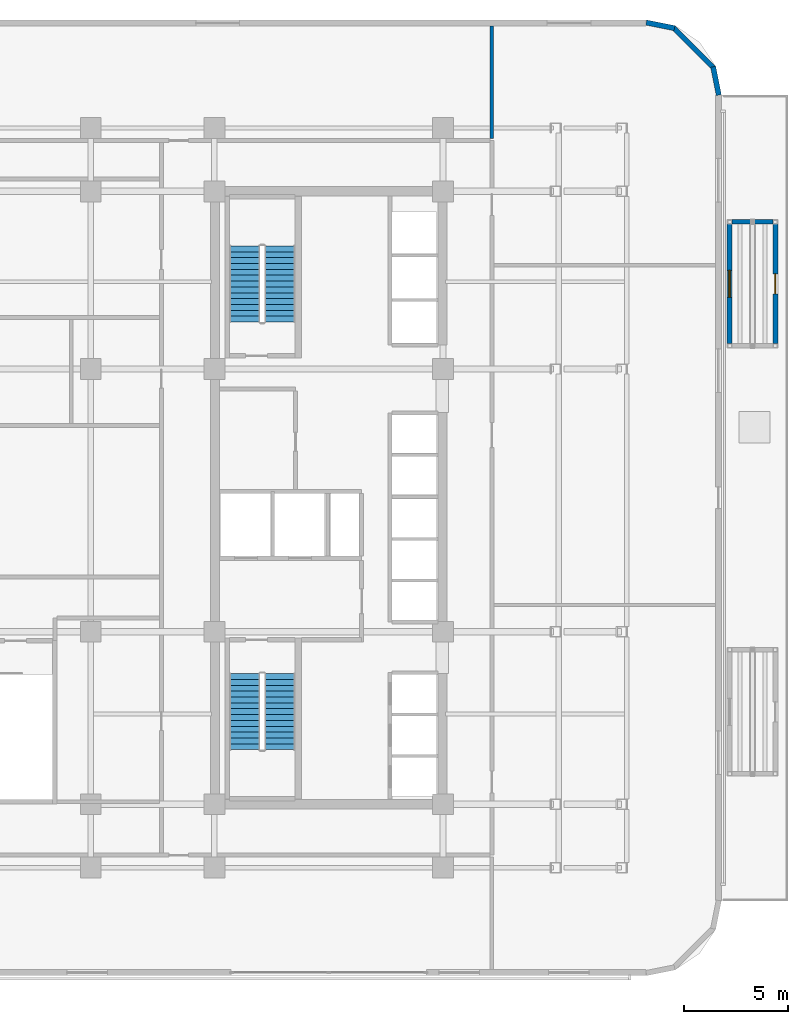
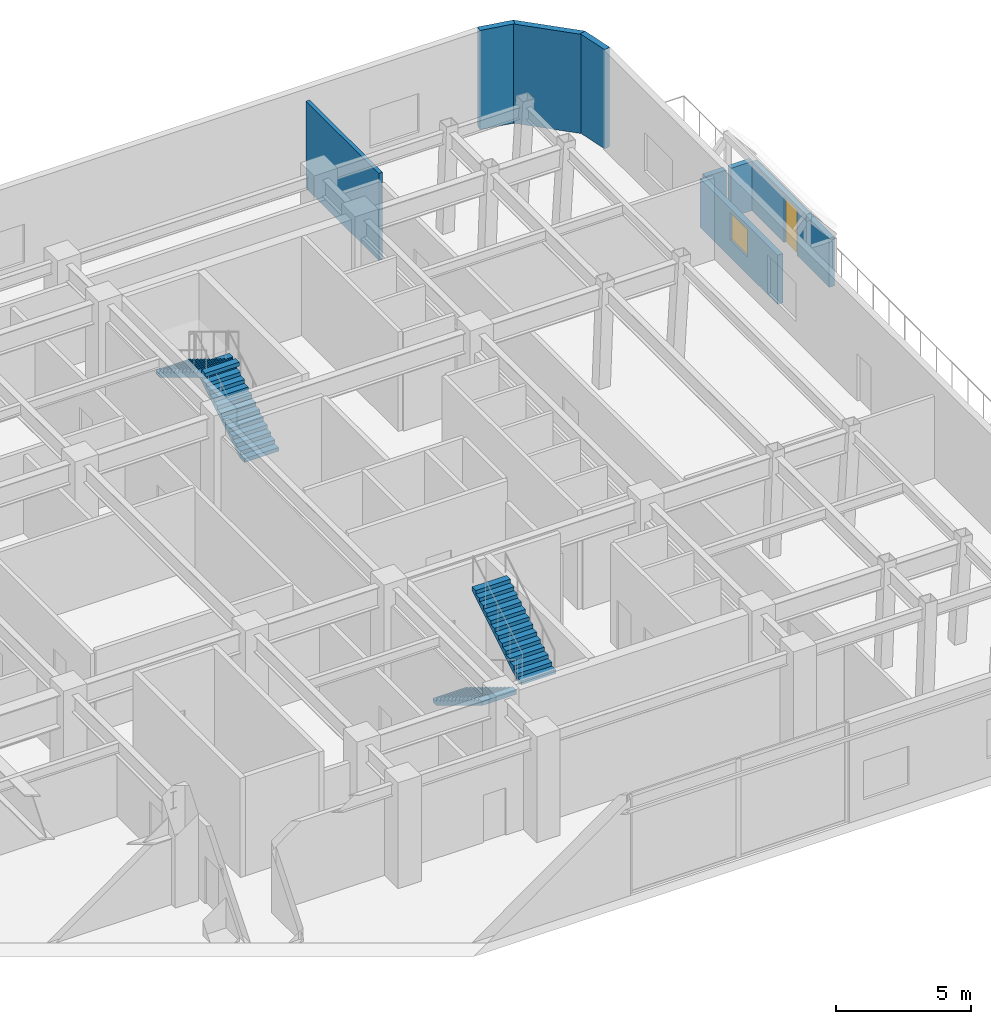
# One storey, part 13 of 18: 8 walls, 4 stair flights, 1 door, 1 window, 2 openings, 2 elements without a shape of their own.
"""IFC4 building model written with IfcOpenShell, lengths in metres."""

from ifc_helpers import new_model, si_unit, direction, frame, frame_2d, origin, place, context, subcontext, project, spatial, polyline, rectangle, outline, extrude, material, layer, layer_set, type_object, element, fill, aggregate, save


model = new_model("IFC4")

# Units and contexts
model_context = context("Model", 3, precision=1e-05, world=origin(), true_north=direction((0.0, 1.0)))
body_context = subcontext(model_context, "Body", "Model", "MODEL_VIEW")
ifc_project = project(units=[si_unit("LENGTHUNIT", "METRE"), si_unit("AREAUNIT", "SQUARE_METRE"), si_unit("VOLUMEUNIT", "CUBIC_METRE"), si_unit("PLANEANGLEUNIT", "RADIAN"), si_unit("MASSUNIT", "GRAM", prefix="KILO")], contexts=[model_context])

# Site, building, storey
site_placement = place(None, origin())
site = spatial("IfcSite", under=ifc_project, at=site_placement, CompositionType="ELEMENT")
building_placement = place(site_placement, origin())
building = spatial("IfcBuilding", under=site, at=building_placement, Name="Ochreholt Gables", CompositionType="ELEMENT")
storey_placement = place(building_placement, frame((0.0, 0.0, 19.199951171875)))
storey = spatial("IfcBuildingStorey", under=building, at=storey_placement, Name="L04", CompositionType="ELEMENT", Elevation=19.199951171875)

# Walls
ifc_material_1 = material(Name="Precast concrete 40 MPa", Category="concrete")
ifc_layer_1 = layer(ifc_material_1, 0.25, Name="Precast concrete 40 MPa")
ifc_layer_set_1 = layer_set([ifc_layer_1], Name="Precast concrete 40 MPa")
wall_type_1 = type_object("IfcWallType", Name="WALL-EXT-CNR", PredefinedType="SOLIDWALL", material=ifc_layer_set_1)
wall_1_placement = place(storey_placement, frame((48.475830078125, 43.383544921875, 0.0), z_axis=(0.0, 0.0, 1.0), x_axis=(-0.19496651342, 0.980809899341, 0.0)))
element("IfcWall", 1, at=wall_1_placement, inside=storey, type_object=wall_type_1, Name="L04 Rounded Corner Wall NE-1", PredefinedType="SOLIDWALL", context=body_context, shape_type="SweptSolid", body=[
    extrude(rectangle(XDim=1.388671875, YDim=0.25, at=frame_2d((0.6943359375, 0.0))), origin(), (0.0, 0.0, 1.0), 4.5),
])
wall_2_placement = place(storey_placement, frame((48.23193359375, 44.695068359375, 0.0), z_axis=(0.0, 0.0, 1.0), x_axis=(-0.707106781187, 0.707106781187, 0.0)))
element("IfcWall", 2, at=wall_2_placement, inside=storey, type_object=wall_type_1, Name="L04 Rounded Corner Wall NE-2", PredefinedType="SOLIDWALL", context=body_context, shape_type="SweptSolid", body=[
    extrude(rectangle(XDim=2.7392578125, YDim=0.25, at=frame_2d((1.36962890625, 0.0))), origin(), (0.0, 0.0, 1.0), 4.5),
])
wall_3_placement = place(storey_placement, frame((46.345458984375, 46.60498046875, 0.0), z_axis=(0.0, 0.0, 1.0), x_axis=(-0.980809899341, 0.19496651342, 0.0)))
element("IfcWall", 3, at=wall_3_placement, inside=storey, type_object=wall_type_1, Name="L04 Rounded Corner Wall NE-3", PredefinedType="SOLIDWALL", context=body_context, shape_type="SweptSolid", body=[
    extrude(rectangle(XDim=1.388671875, YDim=0.25, at=frame_2d((0.6943359375, 0.0))), origin(), (0.0, 0.0, 1.0), 4.5),
])
ifc_layer_2 = layer(ifc_material_1, 0.22998046875, Name="Precast concrete 40 MPa")
ifc_layer_set_2 = layer_set([ifc_layer_2], Name="Precast concrete 40 MPa")
wall_type_2 = type_object("IfcWallType", Name="WALL-EXT-GAB", PredefinedType="SOLIDWALL", material=ifc_layer_set_2)
for number, where, z_axis, x_axis, name in (
    (4, (49.10205078125, 37.284912109375, 0.0), (0.0, 0.0, 1.0), (1.0, 0.0, 0.0), "L04 Gable End Wall GB-04E2-N1"),
    (5, (50.201904296875, 37.284912109375, 0.0), (0.0, 0.0, 1.0), (1.0, 0.0, 0.0), "L04 Gable End Wall GB-04E2-N2"),
):
    element("IfcWall", number, at=place(storey_placement, frame(where, z_axis=z_axis, x_axis=x_axis)), inside=storey, type_object=wall_type_2, Name=name, PredefinedType="SOLIDWALL", context=body_context, shape_type="SweptSolid", body=[
        extrude(rectangle(XDim=0.89599609375, YDim=0.22998046875, at=frame_2d((0.447998046875, 0.0))), origin(), (0.0, 0.0, 1.0), 2.22705078125),
    ])

# Wall, opening, window
wall_4_placement = place(storey_placement, frame((48.9951171875, 31.422119140625, 0.0), z_axis=(0.0, 0.0, 1.0), x_axis=(0.0, 1.0, 0.0)))
wall_4 = element("IfcWall", 6, at=wall_4_placement, inside=storey, type_object=wall_type_2, Name="L04 Gable Eave Wall GB-04E2-W", PredefinedType="SOLIDWALL", context=body_context, shape_type="SweptSolid", body=[
    extrude(rectangle(XDim=5.755859375, YDim=0.22998046875, at=frame_2d((2.8779296875, 0.0))), origin(), (0.0, 0.0, 1.0), 2.22705078125),
])
opening_1_placement = place(wall_4_placement, frame((2.22802734375, 0.0, 0.780029296875)))
opening_1 = element("IfcOpeningElement", 7, at=opening_1_placement, cuts=wall_4, Name="Opening WN-6", PredefinedType="OPENING", context=body_context, shape_type="SweptSolid", body=[
    extrude(rectangle(XDim=1.300048828125, YDim=1.25, at=frame_2d((0.64990234375, 0.625))), frame((0.0, 0.125, 0.0), z_axis=(0.0, -1.0, 0.0), x_axis=(1.0, 0.0, 0.0)), (0.0, 0.0, 1.0), 0.25),
])
ifc_material_2 = material(Name="Triple-Glazed Thermally Broken Aluminium Window", Category="aluminium")
window_type = type_object("IfcWindowType", Name="WIN-GAB-1300", PartitioningType="SINGLE_PANEL", PredefinedType="WINDOW", material=ifc_material_2)
window_placement = place(opening_1_placement, origin())
window = element("IfcWindow", 8, at=window_placement, inside=storey, type_object=window_type, Name="L04 Gable Pavilion Window GB-04E2", OverallHeight=1.25, OverallWidth=1.300048828125, PartitioningType="SINGLE_PANEL", PredefinedType="WINDOW", context=body_context, shape_type="SweptSolid", body=[
    extrude(rectangle(XDim=1.300048828125, YDim=1.25, at=frame_2d((0.64990234375, 0.625))), frame((0.0, 0.030029296875, 0.0), z_axis=(0.0, -1.0, 0.0), x_axis=(1.0, 0.0, 0.0)), (0.0, 0.0, 1.0), 0.06005859375),
])
fill(opening_1, window)

# Wall, opening, door
wall_5_placement = place(storey_placement, frame((51.205078125, 31.422119140625, 0.0), z_axis=(0.0, 0.0, 1.0), x_axis=(0.0, 1.0, 0.0)))
wall_5 = element("IfcWall", 9, at=wall_5_placement, inside=storey, type_object=wall_type_2, Name="L04 Gable Eave Wall GB-04E2-E", PredefinedType="SOLIDWALL", context=body_context, shape_type="SweptSolid", body=[
    extrude(rectangle(XDim=5.755859375, YDim=0.22998046875, at=frame_2d((2.8779296875, 0.0))), origin(), (0.0, 0.0, 1.0), 2.22705078125),
])
opening_2_placement = place(wall_5_placement, frame((2.39794921875, 0.0, 0.0)))
opening_2 = element("IfcOpeningElement", 10, at=opening_2_placement, cuts=wall_5, Name="Opening D-GB1", PredefinedType="OPENING", context=body_context, shape_type="SweptSolid", body=[
    extrude(rectangle(XDim=0.9599609375, YDim=2.080078125, at=frame_2d((0.47998046875, 1.0400390625))), frame((0.0, 0.125, 0.0), z_axis=(0.0, -1.0, 0.0), x_axis=(1.0, 0.0, 0.0)), (0.0, 0.0, 1.0), 0.25),
])
ifc_material_3 = material(Name="Thermally Broken Insulated Steel and Glass Door", Category="steel")
door_type = type_object("IfcDoorType", Name="DR-EXT-GAB960", OperationType="NOTDEFINED", PredefinedType="DOOR", material=ifc_material_3)
door_placement = place(opening_2_placement, origin())
door = element("IfcDoor", 11, at=door_placement, inside=storey, type_object=door_type, Name="L04 Gable Pavilion Door GB-04E2", OperationType="SINGLE_SWING_LEFT", OverallHeight=2.080078125, OverallWidth=0.9599609375, PredefinedType="DOOR", context=body_context, shape_type="SweptSolid", body=[
    extrude(rectangle(XDim=0.9599609375, YDim=2.080078125, at=frame_2d((0.47998046875, 1.0400390625))), frame((0.0, 0.02490234375, 0.0), z_axis=(0.0, -1.0, 0.0), x_axis=(1.0, 0.0, 0.0)), (0.0, 0.0, 1.0), 0.050048828125),
])
fill(opening_2, door)

# Wall
ifc_material_4 = material(Name="Gypsum Acoustic Stud Partition", Category="gypsum")
ifc_layer_3 = layer(ifc_material_4, 0.159912109375, Name="Gypsum Acoustic Stud Partition")
ifc_layer_set_3 = layer_set([ifc_layer_3], Name="Gypsum Acoustic Stud Partition")
wall_type_3 = type_object("IfcWallType", Name="WALL-INT-PT160", PredefinedType="PARTITIONING", material=ifc_layer_set_3)
wall_6_placement = place(storey_placement, frame((37.550048828125, 41.294921875, 0.0), z_axis=(0.0, 0.0, 1.0), x_axis=(0.0, 1.0, 0.0)))
element("IfcWall", 12, at=wall_6_placement, inside=storey, type_object=wall_type_3, Name="L04 Interior Wall WI-CLCEN-L04", PredefinedType="PARTITIONING", context=body_context, shape_type="SweptSolid", body=[
    extrude(rectangle(XDim=5.4150390625, YDim=0.159912109375, at=frame_2d((2.70751953125, 0.0))), origin(), (0.0, 0.0, 1.0), 3.948974609375),
])

# Stair, stair flights
ifc_material_5 = material(Name="Concrete 40 MPa", Category="concrete")
stair_type_1 = type_object("IfcStairType", Name="STAIR-CORE-ST-1", PredefinedType="HALF_TURN_STAIR", material=ifc_material_5)
stair_1_placement = place(storey_placement, origin())
stair_1 = element("IfcStair", 13, at=stair_1_placement, inside=storey, type_object=stair_type_1, Name="L04 Core Exit Stair 1", PredefinedType="HALF_TURN_STAIR")
stair_flight_type = type_object("IfcStairFlightType", Name="FLIGHT-ST-1480-1714", PredefinedType="STRAIGHT", material=ifc_material_5)
stair_flight_1_placement = place(storey_placement, frame((25.659912109375, 15.5400390625, 0.0), z_axis=(0.0, 0.0, 1.0), x_axis=(0.0, -1.0, 0.0)))
stair_flight_1 = element("IfcStairFlight", 14, at=stair_flight_1_placement, type_object=stair_flight_type, Name="ST-1 flight 1", NumberOfRisers=14, NumberOfTreads=13, PredefinedType="STRAIGHT", RiserHeight=0.171428571, TreadLength=0.282, context=body_context, shape_type="SweptSolid", body=[
    extrude(outline(polyline([(0.0, 0.0), (0.0, 0.17138671875), (0.281982421875, 0.17138671875), (0.281982421875, 0.3427734375), (0.56396484375, 0.3427734375), (0.56396484375, 0.514404296875), (0.845947265625, 0.514404296875), (0.845947265625, 0.685791015625), (1.1279296875, 0.685791015625), (1.1279296875, 0.857177734375), (1.409912109375, 0.857177734375), (1.409912109375, 1.028564453125), (1.69189453125, 1.028564453125), (1.69189453125, 1.199951171875), (1.97412109375, 1.199951171875), (1.97412109375, 1.371337890625), (2.256103515625, 1.371337890625), (2.256103515625, 1.54296875), (2.5380859375, 1.54296875), (2.5380859375, 1.71435546875), (2.820068359375, 1.71435546875), (2.820068359375, 1.8857421875), (3.10205078125, 1.8857421875), (3.10205078125, 2.05712890625), (3.384033203125, 2.05712890625), (3.384033203125, 2.228515625), (3.666015625, 2.228515625), (3.666015625, 2.39990234375), (3.666015625, 2.05322265625), (0.28857421875, 0.0), (0.0, 0.0)])), frame((0.0, 0.739990234375, 0.0), z_axis=(0.0, -1.0, 0.0), x_axis=(1.0, 0.0, 0.0)), (0.0, 0.0, 1.0), 1.47998046875),
])
stair_flight_2_placement = place(storey_placement, frame((27.340087890625, 11.8740234375, 2.400146484375), z_axis=(0.0, 0.0, 1.0), x_axis=(0.0, 1.0, 0.0)))
stair_flight_2 = element("IfcStairFlight", 15, at=stair_flight_2_placement, type_object=stair_flight_type, Name="ST-1 flight 2", NumberOfRisers=14, NumberOfTreads=13, PredefinedType="STRAIGHT", RiserHeight=0.171428571, TreadLength=0.282, context=body_context, shape_type="SweptSolid", body=[
    extrude(outline(polyline([(0.0, 0.0), (0.0, 0.17138671875), (0.281982421875, 0.17138671875), (0.281982421875, 0.3427734375), (0.56396484375, 0.3427734375), (0.56396484375, 0.514404296875), (0.845947265625, 0.514404296875), (0.845947265625, 0.685791015625), (1.1279296875, 0.685791015625), (1.1279296875, 0.857177734375), (1.409912109375, 0.857177734375), (1.409912109375, 1.028564453125), (1.69189453125, 1.028564453125), (1.69189453125, 1.199951171875), (1.97412109375, 1.199951171875), (1.97412109375, 1.371337890625), (2.256103515625, 1.371337890625), (2.256103515625, 1.54296875), (2.5380859375, 1.54296875), (2.5380859375, 1.71435546875), (2.820068359375, 1.71435546875), (2.820068359375, 1.8857421875), (3.10205078125, 1.8857421875), (3.10205078125, 2.05712890625), (3.384033203125, 2.05712890625), (3.384033203125, 2.228515625), (3.666015625, 2.228515625), (3.666015625, 2.39990234375), (3.666015625, 2.05322265625), (0.28857421875, 0.0), (0.0, 0.0)])), frame((0.0, 0.739990234375, 0.0), z_axis=(0.0, -1.0, 0.0), x_axis=(1.0, 0.0, 0.0)), (0.0, 0.0, 1.0), 1.47998046875),
])
aggregate(stair_1, [stair_flight_1, stair_flight_2])

stair_type_2 = type_object("IfcStairType", Name="STAIR-CORE-ST-2", PredefinedType="HALF_TURN_STAIR", material=ifc_material_5)
stair_2_placement = place(storey_placement, origin())
stair_2 = element("IfcStair", 16, at=stair_2_placement, inside=storey, type_object=stair_type_2, Name="L04 Core Exit Stair 2", PredefinedType="HALF_TURN_STAIR")
stair_flight_3_placement = place(storey_placement, frame((27.340087890625, 32.4599609375, 0.0), z_axis=(0.0, 0.0, 1.0), x_axis=(0.0, 1.0, 0.0)))
stair_flight_3 = element("IfcStairFlight", 17, at=stair_flight_3_placement, type_object=stair_flight_type, Name="ST-2 flight 1", NumberOfRisers=14, NumberOfTreads=13, PredefinedType="STRAIGHT", RiserHeight=0.171428571, TreadLength=0.282, context=body_context, shape_type="SweptSolid", body=[
    extrude(outline(polyline([(0.0, 0.0), (0.0, 0.17138671875), (0.281982421875, 0.17138671875), (0.281982421875, 0.3427734375), (0.56396484375, 0.3427734375), (0.56396484375, 0.514404296875), (0.845947265625, 0.514404296875), (0.845947265625, 0.685791015625), (1.1279296875, 0.685791015625), (1.1279296875, 0.857177734375), (1.409912109375, 0.857177734375), (1.409912109375, 1.028564453125), (1.69189453125, 1.028564453125), (1.69189453125, 1.199951171875), (1.97412109375, 1.199951171875), (1.97412109375, 1.371337890625), (2.256103515625, 1.371337890625), (2.256103515625, 1.54296875), (2.5380859375, 1.54296875), (2.5380859375, 1.71435546875), (2.820068359375, 1.71435546875), (2.820068359375, 1.8857421875), (3.10205078125, 1.8857421875), (3.10205078125, 2.05712890625), (3.384033203125, 2.05712890625), (3.384033203125, 2.228515625), (3.666015625, 2.228515625), (3.666015625, 2.39990234375), (3.666015625, 2.05322265625), (0.28857421875, 0.0), (0.0, 0.0)])), frame((0.0, 0.739990234375, 0.0), z_axis=(0.0, -1.0, 0.0), x_axis=(1.0, 0.0, 0.0)), (0.0, 0.0, 1.0), 1.47998046875),
])
stair_flight_4_placement = place(storey_placement, frame((25.659912109375, 36.1259765625, 2.400146484375), z_axis=(0.0, 0.0, 1.0), x_axis=(0.0, -1.0, 0.0)))
stair_flight_4 = element("IfcStairFlight", 18, at=stair_flight_4_placement, type_object=stair_flight_type, Name="ST-2 flight 2", NumberOfRisers=14, NumberOfTreads=13, PredefinedType="STRAIGHT", RiserHeight=0.171428571, TreadLength=0.282, context=body_context, shape_type="SweptSolid", body=[
    extrude(outline(polyline([(0.0, 0.0), (0.0, 0.17138671875), (0.281982421875, 0.17138671875), (0.281982421875, 0.3427734375), (0.56396484375, 0.3427734375), (0.56396484375, 0.514404296875), (0.845947265625, 0.514404296875), (0.845947265625, 0.685791015625), (1.1279296875, 0.685791015625), (1.1279296875, 0.857177734375), (1.409912109375, 0.857177734375), (1.409912109375, 1.028564453125), (1.69189453125, 1.028564453125), (1.69189453125, 1.199951171875), (1.97412109375, 1.199951171875), (1.97412109375, 1.371337890625), (2.256103515625, 1.371337890625), (2.256103515625, 1.54296875), (2.5380859375, 1.54296875), (2.5380859375, 1.71435546875), (2.820068359375, 1.71435546875), (2.820068359375, 1.8857421875), (3.10205078125, 1.8857421875), (3.10205078125, 2.05712890625), (3.384033203125, 2.05712890625), (3.384033203125, 2.228515625), (3.666015625, 2.228515625), (3.666015625, 2.39990234375), (3.666015625, 2.05322265625), (0.28857421875, 0.0), (0.0, 0.0)])), frame((0.0, 0.739990234375, 0.0), z_axis=(0.0, -1.0, 0.0), x_axis=(1.0, 0.0, 0.0)), (0.0, 0.0, 1.0), 1.47998046875),
])
aggregate(stair_2, [stair_flight_3, stair_flight_4])

save(model, "model.ifc")
